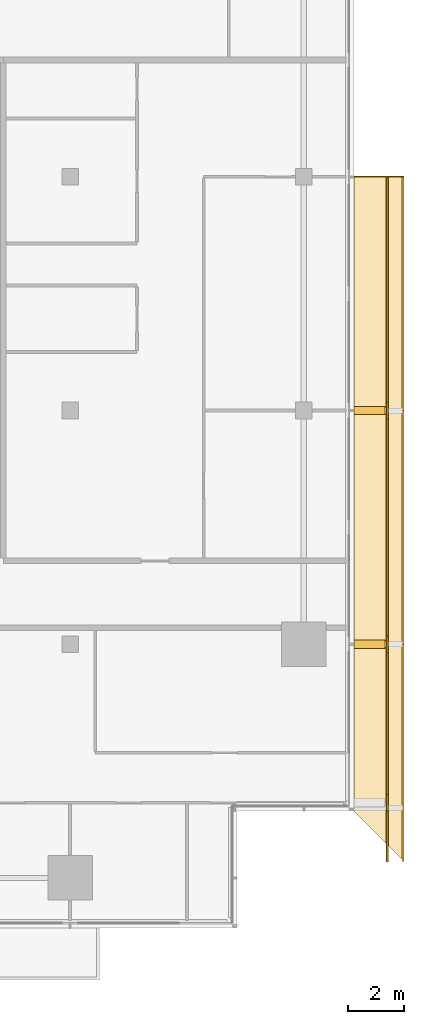
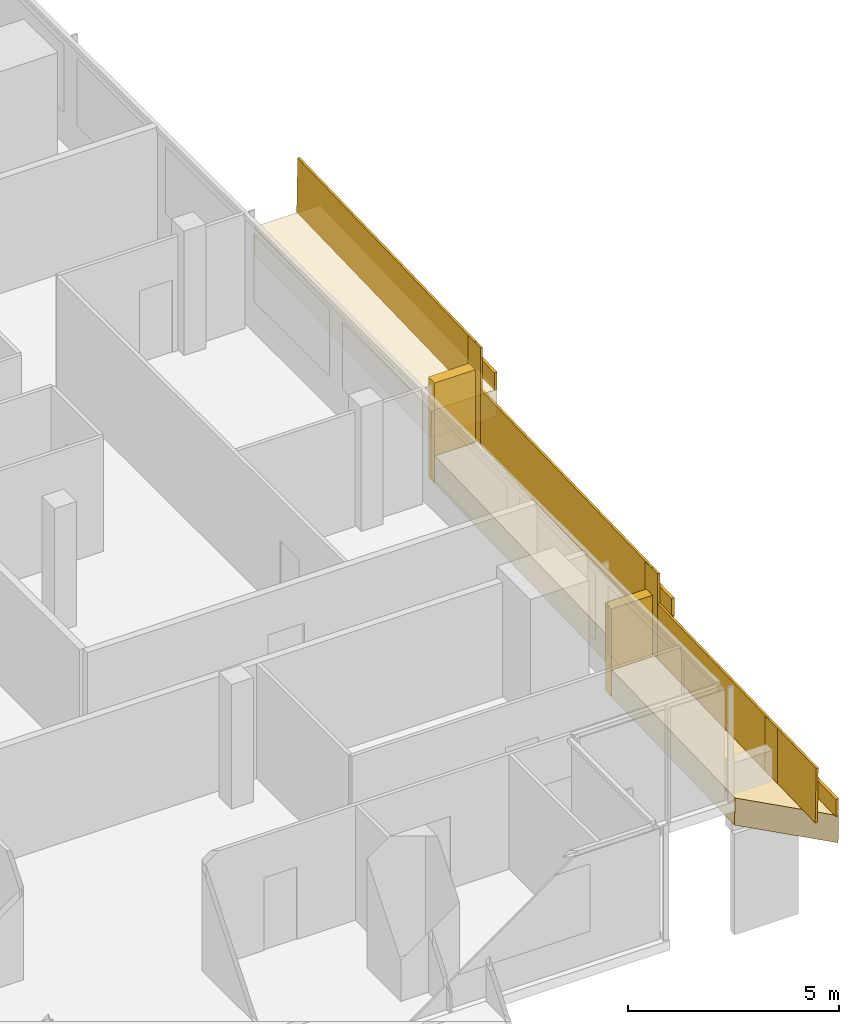
# One storey, part 29 of 29: 8 coverings, 6 railings.
"""IFC4 building model written with IfcOpenShell, lengths in metres."""

import ifcopenshell
import ifcopenshell.guid

model = None  # the IFC model being written
_history = None  # IfcOwnerHistory: only IFC2X3 demands one
_inside = {}  # id of a spatial element -> (the spatial element, [elements in it])
_under = {}  # id of a project, library or spatial element -> (it, [spatial elements below it])
_declared = {}  # id of a project -> (the project, [libraries it declares])
_typed = {}  # id of a type object -> (the type object, [elements of that type])
_made_of = {}  # id of a material, layer set ... -> (it, [elements and type objects made of it])


def new_model(schema):
    """Start an empty IFC model of exactly this schema.

    Asked for "IFC4X3", IfcOpenShell would pick the latest addendum, in which some entities
    have other attributes; the version numbers below select the first issue.
    IFC2X3 requires an IfcOwnerHistory on every rooted entity: one is made here for all.
    """
    global model, _history
    if schema == "IFC4X3":
        model = ifcopenshell.file(schema_version=(4, 3, 0, 0))
    else:
        model = ifcopenshell.file(schema=schema)
    _inside.clear()
    _under.clear()
    _declared.clear()
    _typed.clear()
    _made_of.clear()
    _history = None
    if model.schema == "IFC2X3":
        org = make("IfcOrganization", Name="unknown")
        user = make(
            "IfcPersonAndOrganization",
            ThePerson=make("IfcPerson", FamilyName="unknown"),
            TheOrganization=org,
        )
        app = make(
            "IfcApplication",
            ApplicationDeveloper=org,
            Version="unknown",
            ApplicationFullName="unknown",
            ApplicationIdentifier="unknown",
        )
        _history = make(
            "IfcOwnerHistory",
            OwningUser=user,
            OwningApplication=app,
            ChangeAction="ADDED",
            CreationDate=0,
        )
    return model


def make(cls, **values):
    """One entity of the class cls with the attributes given. An attribute that is None is left unset."""
    return model.create_entity(
        cls, **{name: value for name, value in values.items() if value is not None}
    )


def rooted(cls, **values):
    """An entity with a GlobalId (a new one), such as an element, a storey or a relation."""
    return make(cls, GlobalId=ifcopenshell.guid.new(), OwnerHistory=_history, **values)


def si_unit(unit_type, name, prefix=None):
    """IfcSIUnit, for example si_unit("LENGTHUNIT", "METRE", prefix="MILLI")."""
    return make("IfcSIUnit", UnitType=unit_type, Prefix=prefix, Name=name)


def assignment(units):
    """IfcUnitAssignment: the units of a project."""
    return None if units is None else make("IfcUnitAssignment", Units=units)


def point(xyz):
    """IfcCartesianPoint."""
    return None if xyz is None else make("IfcCartesianPoint", Coordinates=xyz)


def direction(xyz):
    """IfcDirection."""
    return None if xyz is None else make("IfcDirection", DirectionRatios=xyz)


def frame(location, z_axis=None, x_axis=None):
    """IfcAxis2Placement3D, a coordinate frame: its origin and axes. An axis left out is left unset."""
    return make(
        "IfcAxis2Placement3D",
        Location=point(location),
        Axis=direction(z_axis),
        RefDirection=direction(x_axis),
    )


def frame_2d(location, x_axis=None):
    """IfcAxis2Placement2D, a coordinate frame in the plane: its origin and x axis."""
    return make(
        "IfcAxis2Placement2D", Location=point(location), RefDirection=direction(x_axis)
    )


def origin():
    """The frame at (0, 0, 0) with its axes left unset."""
    return frame((0.0, 0.0, 0.0))


def origin_2d():
    """The frame at (0, 0) in the plane with its x axis left unset."""
    return frame_2d((0.0, 0.0))


def place(relative_to, where):
    """IfcLocalPlacement: puts the frame where relative to a parent placement (None: the world)."""
    return make(
        "IfcLocalPlacement", PlacementRelTo=relative_to, RelativePlacement=where
    )


def context(
    kind, dimensions, precision=None, world=None, true_north=None, identifier=None
):
    """IfcGeometricRepresentationContext, for example the 3D "Model" context."""
    return make(
        "IfcGeometricRepresentationContext",
        ContextIdentifier=identifier,
        ContextType=kind,
        CoordinateSpaceDimension=dimensions,
        Precision=precision,
        WorldCoordinateSystem=world,
        TrueNorth=true_north,
    )


def subcontext(parent, identifier, kind, view, scale=None):
    """IfcGeometricRepresentationSubContext, for example "Body" below "Model"."""
    return make(
        "IfcGeometricRepresentationSubContext",
        ContextIdentifier=identifier,
        ContextType=kind,
        ParentContext=parent,
        TargetScale=scale,
        TargetView=view,
    )


def project(units=None, contexts=None):
    """IfcProject with its units and contexts."""
    return rooted(
        "IfcProject",
        Name="project",
        RepresentationContexts=contexts,
        UnitsInContext=assignment(units),
    )


def spatial(cls, under=None, at=None, **own):
    """A site, building, storey or space (cls), placed at a placement, below another one or the project."""
    s = rooted(cls, ObjectPlacement=at, **own)
    if under is not None:
        _under.setdefault(under.id(), (under, []))[1].append(s)
    return s


def polyline(points):
    """IfcPolyline through the points."""
    return make("IfcPolyline", Points=[point(p) for p in points])


def profile(cls, at=None, kind="AREA", **sizes):
    """A parametric profile (cls). Its sizes go by their IFC names, for example OverallWidth=200.0."""
    return make(cls, ProfileType=kind, Position=at, **sizes)


def rectangle(**sizes):
    """IfcRectangleProfileDef."""
    return profile("IfcRectangleProfileDef", **sizes)


def outline(outer, holes=None, kind="AREA"):
    """IfcArbitraryClosedProfileDef: a profile drawn as a closed curve; with holes, ...WithVoids."""
    if holes is None:
        return make("IfcArbitraryClosedProfileDef", ProfileType=kind, OuterCurve=outer)
    return make(
        "IfcArbitraryProfileDefWithVoids",
        ProfileType=kind,
        OuterCurve=outer,
        InnerCurves=holes,
    )


def extrude(swept, where, along, depth):
    """IfcExtrudedAreaSolid: the profile swept, set in the frame where, extruded along a direction by depth."""
    return make(
        "IfcExtrudedAreaSolid",
        SweptArea=swept,
        Position=where,
        ExtrudedDirection=direction(along),
        Depth=depth,
    )


def shape(context_of_items, identifier, shape_type, items):
    """IfcShapeRepresentation: the items that make up one representation, for example the "Body"."""
    return make(
        "IfcShapeRepresentation",
        ContextOfItems=context_of_items,
        RepresentationIdentifier=identifier,
        RepresentationType=shape_type,
        Items=items,
    )


def material(Name=None, Category=None):
    """IfcMaterial."""
    return make("IfcMaterial", Name=Name, Category=Category)


def layer(
    of_material, thickness, ventilated=None, Name=None, Category=None, Priority=None
):
    """IfcMaterialLayer: one layer of a wall or slab, of a material (None: an air gap)."""
    return make(
        "IfcMaterialLayer",
        Material=of_material,
        LayerThickness=thickness,
        IsVentilated=ventilated,
        Name=Name,
        Category=Category,
        Priority=Priority,
    )


def layer_set(layers, Name=None):
    """IfcMaterialLayerSet."""
    return make("IfcMaterialLayerSet", MaterialLayers=layers, LayerSetName=Name)


def made_of(thing, what):
    """Note that an element or type object is made of a material, layer set ...; save() writes the relation."""
    if what is not None:
        _made_of.setdefault(what.id(), (what, []))[1].append(thing)
    return thing


def type_object(cls, material=None, **own):
    """A type object (cls), such as IfcWallType, which elements share."""
    return made_of(rooted(cls, **own), material)


def element(
    cls,
    number,
    at=None,
    inside=None,
    cuts=None,
    type_object=None,
    material=None,
    context=None,
    identifier="Body",
    shape_type=None,
    held_by="IfcProductDefinitionShape",
    body=None,
    shapes=None,
    **own,
):
    """One element of the class cls, such as IfcWall. Its Tag is "e" and its number.

    at: its placement. inside: the storey or other place that contains it. cuts: it is an
    opening in that element (IfcRelVoidsElement). A single representation is given by context,
    identifier, shape_type and body (its items); several are given by shapes. held_by: the class
    of the entity that holds the representations. save() writes the other relations.
    """
    e = rooted(cls, Tag="e%d" % number, ObjectPlacement=at, **own)
    if body is not None:
        shapes = [shape(context, identifier, shape_type, body)]
    if shapes is not None:
        e.Representation = make(held_by, Representations=shapes)
    if inside is not None:
        _inside.setdefault(inside.id(), (inside, []))[1].append(e)
    if cuts is not None:
        rooted(
            "IfcRelVoidsElement", RelatingBuildingElement=cuts, RelatedOpeningElement=e
        )
    if type_object is not None:
        _typed.setdefault(type_object.id(), (type_object, []))[1].append(e)
    return made_of(e, material)


def aggregate(whole, parts):
    """IfcRelAggregates: a whole, such as a stair, and the parts it consists of."""
    return rooted("IfcRelAggregates", RelatingObject=whole, RelatedObjects=parts)


def save(model, path):
    """Write the relations noted so far, then the file.

    IfcRelAggregates (storeys below a building ...), IfcRelContainedInSpatialStructure (elements
    in a storey), IfcRelDefinesByType, IfcRelAssociatesMaterial and IfcRelDeclares: one each for
    every whole, place, type object, material and project.
    """
    for whole, parts in _under.values():
        aggregate(whole, parts)
    for where, things in _inside.values():
        rooted(
            "IfcRelContainedInSpatialStructure",
            RelatedElements=things,
            RelatingStructure=where,
        )
    for kind, things in _typed.values():
        rooted("IfcRelDefinesByType", RelatedObjects=things, RelatingType=kind)
    for what, things in _made_of.values():
        rooted("IfcRelAssociatesMaterial", RelatedObjects=things, RelatingMaterial=what)
    for by, libraries in _declared.values():
        rooted("IfcRelDeclares", RelatingContext=by, RelatedDefinitions=libraries)
    model.write(path)


model = new_model("IFC4")

# Units and contexts
model_context = context("Model", 3, precision=1e-05, world=origin(), true_north=direction((0.0, 1.0)))
body_context = subcontext(model_context, "Body", "Model", "MODEL_VIEW")
ifc_project = project(units=[si_unit("LENGTHUNIT", "METRE"), si_unit("AREAUNIT", "SQUARE_METRE"), si_unit("VOLUMEUNIT", "CUBIC_METRE"), si_unit("PLANEANGLEUNIT", "RADIAN"), si_unit("MASSUNIT", "GRAM", prefix="KILO")], contexts=[model_context])

# Site, building, storey
site_placement = place(None, origin())
site = spatial("IfcSite", under=ifc_project, at=site_placement, CompositionType="ELEMENT")
building_placement = place(site_placement, origin())
building = spatial("IfcBuilding", under=site, at=building_placement, Name="Saffron Gate Tower", CompositionType="ELEMENT")
storey_placement = place(building_placement, frame((0.0, 0.0, 219.89990234375)))
storey = spatial("IfcBuildingStorey", under=building, at=storey_placement, Name="L53", CompositionType="ELEMENT", Elevation=219.89990234375)

# Coverings
ifc_material = material(Name="Timber, thermally modified ash", Category="wood")
ifc_layer_1 = layer(ifc_material, 0.800048828125)
ifc_layer_set_1 = layer_set([ifc_layer_1], Name="LD1 ledge timber")
covering_type_1 = type_object("IfcCoveringType", Name="LD1 ledge timber", PredefinedType="CLADDING", material=ifc_layer_set_1)
covering_1_placement = place(storey_placement, frame((127.199951171875, 34.199951171875, 0.099365234375), z_axis=(3.5027307e-05, -0.028807146299, 0.99958498743), x_axis=(3.68e-10, 0.999584988043, 0.028807146316)))
element("IfcCovering", 1, at=covering_1_placement, inside=storey, type_object=covering_type_1, Name="LEDGE", PredefinedType="CLADDING", context=body_context, shape_type="SweptSolid", body=[
    extrude(outline(polyline([(0.0, 0.0), (6.0024892885105, 2.541098841762901e-21), (6.002489289172793, -1.8000488270207489), (-1.800799813548424, -1.8000488321003227), (0.0, 0.0)])), origin(), (0.0, 0.0, -1.0), 0.800048828125),
])
covering_2_placement = place(storey_placement, frame((127.199951171875, 40.199951171875, 1.129638671875), z_axis=(0.0, -0.028790339263, 0.999585472266), x_axis=(0.0, 0.999585472266, 0.028790339263)))
element("IfcCovering", 2, at=covering_2_placement, inside=storey, type_object=covering_type_1, Name="LEDGE", PredefinedType="CLADDING", context=body_context, shape_type="SweptSolid", body=[
    extrude(outline(polyline([(0.0, 0.0), (8.403630022085892, 0.0), (8.403630022085892, -1.800048828125), (0.0, -1.800048828125), (0.0, 0.0)])), origin(), (0.0, 0.0, -1.0), 0.800048828125),
])
covering_3_placement = place(storey_placement, frame((127.199951171875, 48.60009765625, 2.57177734375), z_axis=(0.0, -0.028791175352, 0.999585448184), x_axis=(0.0, 0.999585448184, 0.028791175352)))
element("IfcCovering", 3, at=covering_3_placement, inside=storey, type_object=covering_type_1, Name="LEDGE", PredefinedType="CLADDING", context=body_context, shape_type="SweptSolid", body=[
    extrude(outline(polyline([(0.0, 0.0), (8.403385982666892, 0.0), (8.403385982666892, -1.800048828125), (0.0, -1.800048828125), (0.0, 0.0)])), origin(), (0.0, 0.0, -1.0), 0.800048828125),
])
ifc_layer_2 = layer(ifc_material, 0.080078125)
ifc_layer_set_2 = layer_set([ifc_layer_2], Name="LD2 ledge planter trough")
covering_type_2 = type_object("IfcCoveringType", Name="LD2 ledge planter trough", PredefinedType="CLADDING", material=ifc_layer_set_2)
covering_4_placement = place(storey_placement, frame((129.0, 32.39990234375, 0.04736328125), z_axis=(1.0, 0.0, 0.0), x_axis=(0.0, 0.999584755248, 0.028815222999)))
element("IfcCovering", 4, at=covering_4_placement, inside=storey, type_object=covering_type_2, Name="LEDGE planter trough", PredefinedType="CLADDING", context=body_context, shape_type="SweptSolid", body=[
    extrude(outline(polyline([(0.0, 0.0), (7.803289102975944, 0.0), (7.8176967144752565, 0.4997923776238338), (0.014407611499312996, 0.4997923776238338), (0.0, 0.0)])), origin(), (0.0, 0.0, -1.0), 0.080078125),
])
covering_5_placement = place(storey_placement, frame((129.0, 40.199951171875, 1.129638671875), z_axis=(1.0, 0.0, 0.0), x_axis=(0.0, 0.999585472266, 0.028790339263)))
element("IfcCovering", 5, at=covering_5_placement, inside=storey, type_object=covering_type_2, Name="LEDGE planter trough", PredefinedType="CLADDING", context=body_context, shape_type="SweptSolid", body=[
    extrude(outline(polyline([(0.0, 0.0), (8.403630022085892, 0.0), (8.418025191717298, 0.4997927361329725), (0.014395169631405694, 0.4997927361329725), (0.0, 0.0)])), origin(), (0.0, 0.0, -1.0), 0.080078125),
])
covering_6_placement = place(storey_placement, frame((129.0, 48.60009765625, 2.57177734375), z_axis=(1.0, 0.0, 0.0), x_axis=(0.0, 0.999585448184, 0.028791175352)))
element("IfcCovering", 6, at=covering_6_placement, inside=storey, type_object=covering_type_2, Name="LEDGE planter trough", PredefinedType="CLADDING", context=body_context, shape_type="SweptSolid", body=[
    extrude(outline(polyline([(0.0, 0.0), (8.403385982666892, 0.0), (8.417781570342743, 0.49979272409216496), (0.014395587675851172, 0.4997927240921649), (0.0, 0.0)])), origin(), (0.0, 0.0, -1.0), 0.080078125),
])
ifc_layer_3 = layer(ifc_material, 0.300048828125)
ifc_layer_set_3 = layer_set([ifc_layer_3], Name="LD3 ledge riser fin")
covering_type_3 = type_object("IfcCoveringType", Name="LD3 ledge riser fin", PredefinedType="CLADDING", material=ifc_layer_set_3)
covering_7_placement = place(storey_placement, frame((127.760009765625, 40.199951171875, -0.52783203125), z_axis=(0.0, 0.0, 1.0), x_axis=(0.0, 1.0, 0.0)))
element("IfcCovering", 7, at=covering_7_placement, inside=storey, type_object=covering_type_3, Name="LEDGE riser fin", PredefinedType="CLADDING", context=body_context, shape_type="SweptSolid", body=[
    extrude(rectangle(XDim=0.300048828125, YDim=1.1201171875, at=origin_2d()), origin(), (0.0, 0.0, 1.0), 2.557373046875),
])
covering_8_placement = place(storey_placement, frame((127.760009765625, 48.60009765625, 0.571533203125), z_axis=(0.0, 0.0, 1.0), x_axis=(0.0, 1.0, 0.0)))
element("IfcCovering", 8, at=covering_8_placement, inside=storey, type_object=covering_type_3, Name="LEDGE riser fin", PredefinedType="CLADDING", context=body_context, shape_type="SweptSolid", body=[
    extrude(rectangle(XDim=0.300048828125, YDim=1.1201171875, at=origin_2d()), origin(), (0.0, 0.0, 1.0), 2.900390625),
])

# Railings
railing_type = type_object("IfcRailingType", Name="LG1 ledge balustrade", PredefinedType="BALUSTRADE", material=ifc_material)
railing_1_placement = place(storey_placement, frame((128.39990234375, 32.39990234375, 0.04736328125)))
element("IfcRailing", 9, at=railing_1_placement, inside=storey, type_object=railing_type, Name="LEDGE BALUSTRADE", PredefinedType="BALUSTRADE", context=body_context, shape_type="SweptSolid", body=[
    extrude(rectangle(XDim=0.06005859375, YDim=1.60009765625, at=origin_2d()), frame((0.0, 0.0, 0.800048828125), z_axis=(0.0, 0.999584755248, 0.028815222999), x_axis=(-1.0, 0.0, 0.0)), (0.0, 0.0, 1.0), 7.80322265625),
])
railing_2_placement = place(storey_placement, frame((128.39990234375, 34.199951171875, -0.157958984375)))
element("IfcRailing", 10, at=railing_2_placement, inside=storey, type_object=railing_type, Name="LEDGE BALUSTRADE", PredefinedType="BALUSTRADE", context=body_context, shape_type="SweptSolid", body=[
    extrude(rectangle(XDim=0.06005859375, YDim=1.857177734375, at=origin_2d()), frame((0.0, 0.0, 0.9287109375), z_axis=(0.0, 1.0, 0.0), x_axis=(-1.0, 0.0, 0.0)), (0.0, 0.0, 1.0), 0.60009765625),
])
railing_3_placement = place(storey_placement, frame((128.39990234375, 40.199951171875, 1.129638671875)))
element("IfcRailing", 11, at=railing_3_placement, inside=storey, type_object=railing_type, Name="LEDGE BALUSTRADE", PredefinedType="BALUSTRADE", context=body_context, shape_type="SweptSolid", body=[
    extrude(rectangle(XDim=0.06005859375, YDim=1.60009765625, at=origin_2d()), frame((0.0, 0.0, 0.800048828125), z_axis=(0.0, 0.999585472266, 0.028790339263), x_axis=(-1.0, 0.0, 0.0)), (0.0, 0.0, 1.0), 8.403564453125),
])
railing_4_placement = place(storey_placement, frame((128.39990234375, 39.89990234375, 0.272216796875)))
element("IfcRailing", 12, at=railing_4_placement, inside=storey, type_object=railing_type, Name="LEDGE BALUSTRADE", PredefinedType="BALUSTRADE", context=body_context, shape_type="SweptSolid", body=[
    extrude(rectangle(XDim=0.06005859375, YDim=2.45751953125, at=origin_2d()), frame((0.0, 0.0, 1.228759765625), z_axis=(0.0, 1.0, 0.0), x_axis=(-1.0, 0.0, 0.0)), (0.0, 0.0, 1.0), 0.60009765625),
])
railing_5_placement = place(storey_placement, frame((128.39990234375, 48.60009765625, 2.57177734375)))
element("IfcRailing", 13, at=railing_5_placement, inside=storey, type_object=railing_type, Name="LEDGE BALUSTRADE", PredefinedType="BALUSTRADE", context=body_context, shape_type="SweptSolid", body=[
    extrude(rectangle(XDim=0.06005859375, YDim=1.60009765625, at=origin_2d()), frame((0.0, 0.0, 0.800048828125), z_axis=(0.0, 0.999585448184, 0.028791175352), x_axis=(-1.0, 0.0, 0.0)), (0.0, 0.0, 1.0), 8.4033203125),
])
railing_6_placement = place(storey_placement, frame((128.39990234375, 48.300048828125, 1.37158203125)))
element("IfcRailing", 14, at=railing_6_placement, inside=storey, type_object=railing_type, Name="LEDGE BALUSTRADE", PredefinedType="BALUSTRADE", context=body_context, shape_type="SweptSolid", body=[
    extrude(rectangle(XDim=0.06005859375, YDim=2.80029296875, at=origin_2d()), frame((0.0, 0.0, 1.400146484375), z_axis=(0.0, 1.0, 0.0), x_axis=(-1.0, 0.0, 0.0)), (0.0, 0.0, 1.0), 0.599853515625),
])

save(model, "model.ifc")
